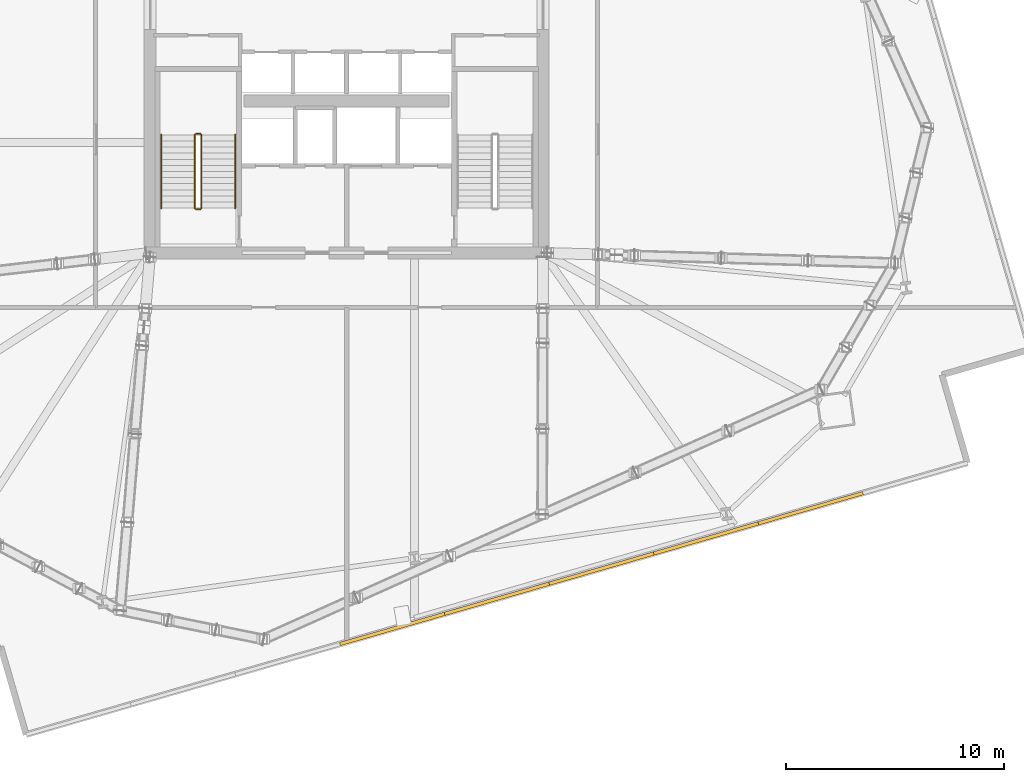
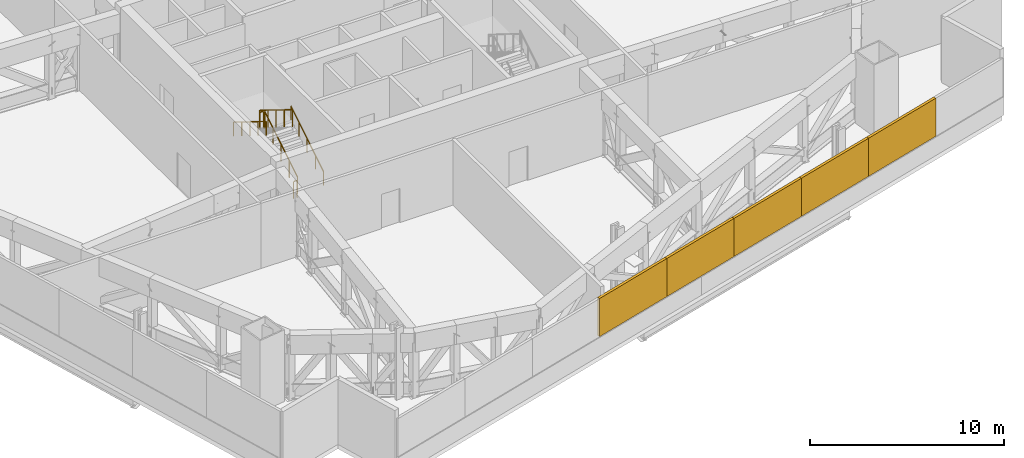
# One storey, part 16 of 19: 6 railings, 5 shading devices.
"""IFC4 building model written with IfcOpenShell, lengths in metres."""

from ifc_helpers import new_model, si_unit, direction, frame, origin, origin_2d, place, context, subcontext, project, spatial, rectangle, extrude, source, transform, mapped, material, layer, layer_set, type_object, element, save


model = new_model("IFC4")

# Units and contexts
model_context = context("Model", 3, precision=1e-05, world=origin(), true_north=direction((0.0, 1.0)))
body_context = subcontext(model_context, "Body", "Model", "MODEL_VIEW")
ifc_project = project(units=[si_unit("LENGTHUNIT", "METRE"), si_unit("AREAUNIT", "SQUARE_METRE"), si_unit("VOLUMEUNIT", "CUBIC_METRE"), si_unit("PLANEANGLEUNIT", "RADIAN"), si_unit("MASSUNIT", "GRAM", prefix="KILO")], contexts=[model_context])

# Site, building, storey
site_placement = place(None, origin())
site = spatial("IfcSite", under=ifc_project, at=site_placement, CompositionType="ELEMENT")
building_placement = place(site_placement, origin())
building = spatial("IfcBuilding", under=site, at=building_placement, Name="Haldenkirk Collegiate Tower", CompositionType="ELEMENT")
storey_placement = place(building_placement, frame((0.0, 0.0, 81.449951171875)))
storey = spatial("IfcBuildingStorey", under=building, at=storey_placement, Name="L19", CompositionType="ELEMENT", Elevation=81.449951171875)

# Railings
ifc_material_1 = material(Name="Painted architectural tubular steel", Category="steel")
railing_type_1 = type_object("IfcRailingType", Name="RLG-STAIR-GUARD-1100", PredefinedType="BALUSTRADE", material=ifc_material_1)
railing_1_placement = place(storey_placement, frame((29.35009765625, 20.050048828125, 0.173095703125)))
element("IfcRailing", 1, at=railing_1_placement, inside=storey, type_object=railing_type_1, Name="L19 ST-1 stair guard 1", PredefinedType="BALUSTRADE", context=body_context, shape_type="SweptSolid", body=[
    extrude(rectangle(XDim=0.048095703125, YDim=0.048095703125, at=origin_2d()), frame((0.0, 0.0, 1.076171875), z_axis=(0.0, 0.850606129759, 0.525803396734), x_axis=(-1.0, 0.0, 0.0)), (0.0, 0.0, 1.0), 3.949951171875),
    extrude(rectangle(XDim=0.0419921875, YDim=0.0419921875, at=origin_2d()), origin(), (0.0, 0.0, 1.0), 1.052001953125),
    extrude(rectangle(XDim=0.0419921875, YDim=0.0419921875, at=origin_2d()), frame((0.0, 0.83984375, 0.519287109375)), (0.0, 0.0, 1.0), 1.052001953125),
    extrude(rectangle(XDim=0.0419921875, YDim=0.0419921875, at=origin_2d()), frame((0.0, 1.679931640625, 1.03857421875)), (0.0, 0.0, 1.0), 1.052001953125),
    extrude(rectangle(XDim=0.0419921875, YDim=0.0419921875, at=origin_2d()), frame((0.0, 2.52001953125, 1.5576171875)), (0.0, 0.0, 1.0), 1.052001953125),
    extrude(rectangle(XDim=0.0419921875, YDim=0.0419921875, at=origin_2d()), frame((0.0, 3.35986328125, 2.076904296875)), (0.0, 0.0, 1.0), 1.052001953125),
])
railing_2_placement = place(storey_placement, frame((29.300048828125, 23.4599609375, 2.25)))
element("IfcRailing", 2, at=railing_2_placement, inside=storey, type_object=railing_type_1, Name="L19 ST-1 stair guard 2", PredefinedType="BALUSTRADE", context=body_context, shape_type="SweptSolid", body=[
    extrude(rectangle(XDim=0.048095703125, YDim=0.048095703125, at=origin_2d()), frame((0.0, 0.0, 1.076171875), z_axis=(-1.0, 0.0, 0.0), x_axis=(0.0, -1.0, 0.0)), (0.0, 0.0, 1.0), 0.199951171875),
    extrude(rectangle(XDim=0.0419921875, YDim=0.0419921875, at=origin_2d()), origin(), (0.0, 0.0, 1.0), 1.052001953125),
    extrude(rectangle(XDim=0.0419921875, YDim=0.0419921875, at=origin_2d()), frame((-0.199951171875, 0.0, 0.0)), (0.0, 0.0, 1.0), 1.052001953125),
])
railing_3_placement = place(storey_placement, frame((29.050048828125, 23.409912109375, 2.423095703125)))
element("IfcRailing", 3, at=railing_3_placement, inside=storey, type_object=railing_type_1, Name="L19 ST-1 stair guard 3", PredefinedType="BALUSTRADE", context=body_context, shape_type="SweptSolid", body=[
    extrude(rectangle(XDim=0.048095703125, YDim=0.048095703125, at=origin_2d()), frame((0.0, 0.0, 1.076171875), z_axis=(0.0, -0.850606129759, 0.525803396734), x_axis=(1.0, 0.0, 0.0)), (0.0, 0.0, 1.0), 3.949951171875),
    extrude(rectangle(XDim=0.0419921875, YDim=0.0419921875, at=origin_2d()), origin(), (0.0, 0.0, 1.0), 1.052001953125),
    extrude(rectangle(XDim=0.0419921875, YDim=0.0419921875, at=origin_2d()), frame((0.0, -0.83984375, 0.519287109375)), (0.0, 0.0, 1.0), 1.052001953125),
    extrude(rectangle(XDim=0.0419921875, YDim=0.0419921875, at=origin_2d()), frame((0.0, -1.679931640625, 1.03857421875)), (0.0, 0.0, 1.0), 1.052001953125),
    extrude(rectangle(XDim=0.0419921875, YDim=0.0419921875, at=origin_2d()), frame((0.0, -2.52001953125, 1.5576171875)), (0.0, 0.0, 1.0), 1.052001953125),
    extrude(rectangle(XDim=0.0419921875, YDim=0.0419921875, at=origin_2d()), frame((0.0, -3.35986328125, 2.076904296875)), (0.0, 0.0, 1.0), 1.052001953125),
])
railing_4_placement = place(storey_placement, frame((29.300048828125, 20.0, 0.0)))
element("IfcRailing", 4, at=railing_4_placement, inside=storey, type_object=railing_type_1, Name="L19 ST-1 stair guard 4", PredefinedType="BALUSTRADE", context=body_context, shape_type="SweptSolid", body=[
    extrude(rectangle(XDim=0.048095703125, YDim=0.048095703125, at=origin_2d()), frame((0.0, 0.0, 1.076171875), z_axis=(-1.0, 0.0, 0.0), x_axis=(0.0, -1.0, 0.0)), (0.0, 0.0, 1.0), 0.199951171875),
    extrude(rectangle(XDim=0.0419921875, YDim=0.0419921875, at=origin_2d()), origin(), (0.0, 0.0, 1.0), 1.052001953125),
    extrude(rectangle(XDim=0.0419921875, YDim=0.0419921875, at=origin_2d()), frame((-0.199951171875, 0.0, 0.0)), (0.0, 0.0, 1.0), 1.052001953125),
])
railing_type_2 = type_object("IfcRailingType", Name="RLG-STAIR-HANDRAIL-900", PredefinedType="HANDRAIL", material=ifc_material_1)
railing_5_placement = place(storey_placement, frame((30.89990234375, 20.050048828125, 0.173095703125)))
element("IfcRailing", 5, at=railing_5_placement, inside=storey, type_object=railing_type_2, Name="L19 ST-1 stair handrail 1", PredefinedType="HANDRAIL", context=body_context, shape_type="SweptSolid", body=[
    extrude(rectangle(XDim=0.048095703125, YDim=0.048095703125, at=origin_2d()), frame((0.0, 0.0, 0.8759765625), z_axis=(0.0, 0.850606129759, 0.525803396734), x_axis=(-1.0, 0.0, 0.0)), (0.0, 0.0, 1.0), 3.949951171875),
    extrude(rectangle(XDim=0.0419921875, YDim=0.0419921875, at=origin_2d()), origin(), (0.0, 0.0, 1.0), 0.851806640625),
    extrude(rectangle(XDim=0.0419921875, YDim=0.0419921875, at=origin_2d()), frame((0.0, 0.83984375, 0.519287109375)), (0.0, 0.0, 1.0), 0.851806640625),
    extrude(rectangle(XDim=0.0419921875, YDim=0.0419921875, at=origin_2d()), frame((0.0, 1.679931640625, 1.03857421875)), (0.0, 0.0, 1.0), 0.851806640625),
    extrude(rectangle(XDim=0.0419921875, YDim=0.0419921875, at=origin_2d()), frame((0.0, 2.52001953125, 1.5576171875)), (0.0, 0.0, 1.0), 0.851806640625),
    extrude(rectangle(XDim=0.0419921875, YDim=0.0419921875, at=origin_2d()), frame((0.0, 3.35986328125, 2.076904296875)), (0.0, 0.0, 1.0), 0.851806640625),
])
railing_6_placement = place(storey_placement, frame((27.5, 23.409912109375, 2.423095703125)))
element("IfcRailing", 6, at=railing_6_placement, inside=storey, type_object=railing_type_2, Name="L19 ST-1 stair handrail 2", PredefinedType="HANDRAIL", context=body_context, shape_type="SweptSolid", body=[
    extrude(rectangle(XDim=0.048095703125, YDim=0.048095703125, at=origin_2d()), frame((0.0, 0.0, 0.8759765625), z_axis=(0.0, -0.850606129759, 0.525803396734), x_axis=(1.0, 0.0, 0.0)), (0.0, 0.0, 1.0), 3.949951171875),
    extrude(rectangle(XDim=0.0419921875, YDim=0.0419921875, at=origin_2d()), origin(), (0.0, 0.0, 1.0), 0.851806640625),
    extrude(rectangle(XDim=0.0419921875, YDim=0.0419921875, at=origin_2d()), frame((0.0, -0.83984375, 0.519287109375)), (0.0, 0.0, 1.0), 0.851806640625),
    extrude(rectangle(XDim=0.0419921875, YDim=0.0419921875, at=origin_2d()), frame((0.0, -1.679931640625, 1.03857421875)), (0.0, 0.0, 1.0), 0.851806640625),
    extrude(rectangle(XDim=0.0419921875, YDim=0.0419921875, at=origin_2d()), frame((0.0, -2.52001953125, 1.5576171875)), (0.0, 0.0, 1.0), 0.851806640625),
    extrude(rectangle(XDim=0.0419921875, YDim=0.0419921875, at=origin_2d()), frame((0.0, -3.35986328125, 2.076904296875)), (0.0, 0.0, 1.0), 0.851806640625),
])

# Shading devices
ifc_material_2 = material(Name="Anodised architectural bronze aluminium", Category="aluminium")
ifc_layer = layer(ifc_material_2, 0.139892578125)
ifc_layer_set = layer_set([ifc_layer], Name="Anodised architectural bronze aluminium")
shading_device_type = type_object("IfcShadingDeviceType", Name="SHD-LOUVRE-CROWN", PredefinedType="JALOUSIE", material=ifc_layer_set)
shared_shape = source(origin(), body_context, "Body", "SweptSolid", [
    extrude(rectangle(XDim=4.989013671875, YDim=0.159912109375, at=origin_2d()), origin(), (0.0, 0.0, 1.0), 2.39111328125),
])
for number, where, z_axis, x_axis, name in (
    (7, (57.263916015625, 6.29931640625, 1.14990234375), (0.0, 0.0, 1.0), (-0.960779154158, -0.277314653302, 0.0), "L19 mechanical intake louvre screen S2"),
    (8, (52.470703125, 4.91552734375, 1.14990234375), (0.0, 0.0, 1.0), (-0.960779154158, -0.277314653302, 0.0), "L19 mechanical intake louvre screen S3"),
    (9, (47.677490234375, 3.531982421875, 1.14990234375), (0.0, 0.0, 1.0), (-0.960779154158, -0.277314653302, 0.0), "L19 mechanical intake louvre screen S4"),
    (10, (42.88427734375, 2.148681640625, 1.14990234375), (0.0, 0.0, 1.0), (-0.960779154158, -0.277314653302, 0.0), "L19 mechanical intake louvre screen S5"),
    (11, (38.091064453125, 0.76513671875, 1.14990234375), (0.0, 0.0, 1.0), (-0.960779154158, -0.277314653302, 0.0), "L19 mechanical intake louvre screen S6"),
):
    element("IfcShadingDevice", number, at=place(storey_placement, frame(where, z_axis=z_axis, x_axis=x_axis)), inside=storey, type_object=shading_device_type, Name=name, PredefinedType="JALOUSIE", context=body_context, shape_type="MappedRepresentation", body=[
        mapped(shared_shape, transform((0.0, 0.0, 0.0), x_axis=(1.0, 0.0, 0.0), y_axis=(0.0, 1.0, 0.0), z_axis=(0.0, 0.0, 1.0), scale=1.0)),
    ])

save(model, "model.ifc")
